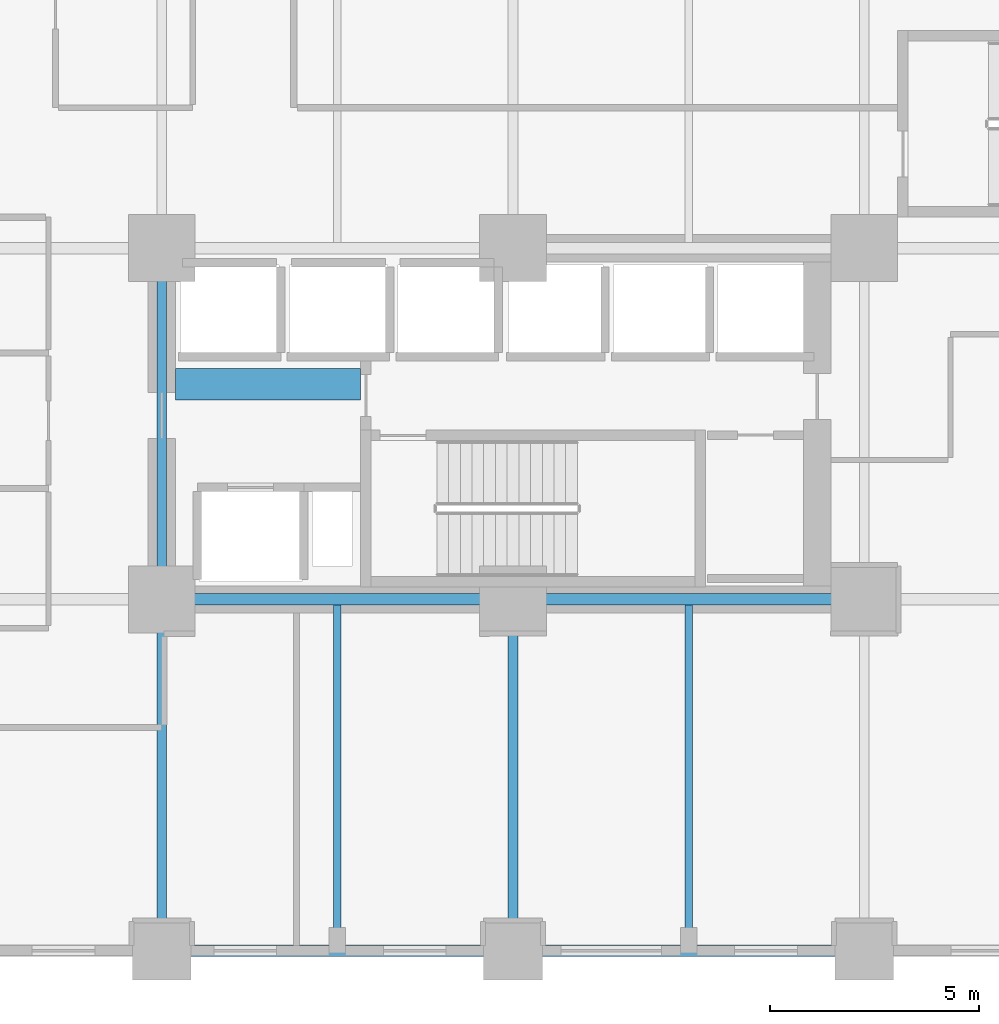
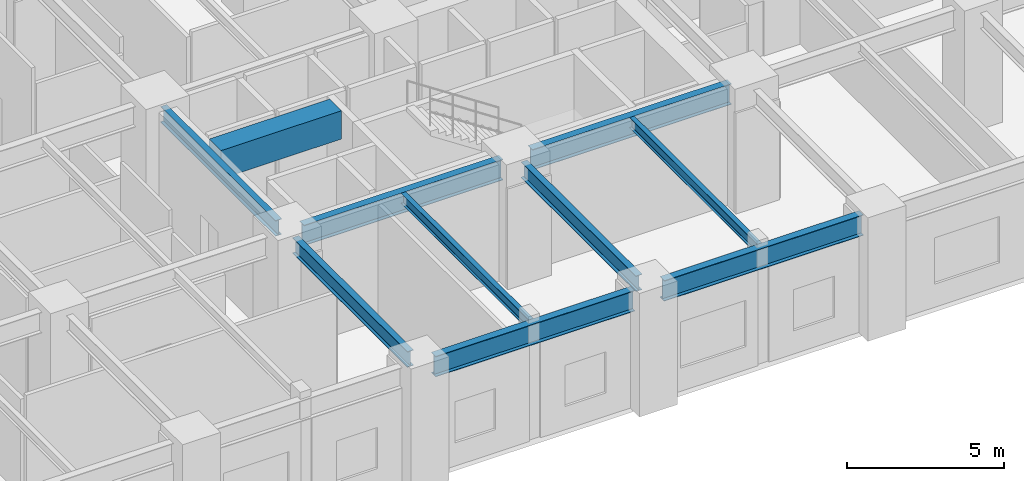
# One storey, part 3 of 23: 10 beams.
"""IFC4 building model written with IfcOpenShell, lengths in metres."""

from ifc_helpers import new_model, si_unit, direction, frame, origin, origin_2d, place, context, subcontext, project, spatial, rectangle, i_section, extrude, material, material_profile, profile_set, type_object, element, save


model = new_model("IFC4")

# Units and contexts
model_context = context("Model", 3, precision=1e-05, world=origin(), true_north=direction((0.0, 1.0)))
body_context = subcontext(model_context, "Body", "Model", "MODEL_VIEW")
ifc_project = project(units=[si_unit("LENGTHUNIT", "METRE"), si_unit("AREAUNIT", "SQUARE_METRE"), si_unit("VOLUMEUNIT", "CUBIC_METRE"), si_unit("PLANEANGLEUNIT", "RADIAN"), si_unit("MASSUNIT", "GRAM", prefix="KILO")], contexts=[model_context])

# Site, building, storey
site_placement = place(None, origin())
site = spatial("IfcSite", under=ifc_project, at=site_placement, CompositionType="ELEMENT")
building_placement = place(site_placement, origin())
building = spatial("IfcBuilding", under=site, at=building_placement, Name="Nerrivon Quay Data Exchange", CompositionType="ELEMENT")
storey_placement = place(building_placement, frame((0.0, 0.0, 5.39990234375)))
storey = spatial("IfcBuildingStorey", under=building, at=storey_placement, Name="L01", CompositionType="ELEMENT", Elevation=5.39990234375)

# Beams
ifc_material_1 = material(Name="Concrete S65 (65 MPa)", Category="concrete")
ifc_material_profile_1 = material_profile(ifc_material_1, rectangle(XDim=0.75, YDim=1.10009765625, at=origin_2d()), Name="RC-CB-750x1100")
ifc_profile_set_1 = profile_set([ifc_material_profile_1], Name="Concrete S65 (65 MPa)")
beam_type_1 = type_object("IfcBeamType", Name="BM-CB1-750x1100", PredefinedType="LINTEL", material=ifc_profile_set_1)
beam_1_placement = place(storey_placement, frame((17.125, 13.550048828125, 3.97509765625), z_axis=(1.0, 0.0, 0.0), x_axis=(0.0, 1.0, 0.0)))
element("IfcBeam", 1, at=beam_1_placement, inside=storey, type_object=beam_type_1, Name="L01 East Core Coupling Beam", PredefinedType="LINTEL", context=body_context, shape_type="SweptSolid", body=[
    extrude(rectangle(XDim=0.75, YDim=1.10009765625, at=origin_2d()), origin(), (0.0, 0.0, 1.0), 4.429931640625),
])
ifc_material_2 = material(Name="Steel Grade 350", Category="steel")
ifc_material_profile_2 = material_profile(ifc_material_2, i_section(OverallWidth=0.22900390625, OverallDepth=0.612060546875, WebThickness=0.011962890625, FlangeThickness=0.01953125, FilletRadius=0.013916015625, at=origin_2d()), Name="610UB125")
ifc_profile_set_2 = profile_set([ifc_material_profile_2], Name="Steel Grade 350")
beam_type_2 = type_object("IfcBeamType", Name="BM-G1-610UB125", PredefinedType="BEAM", material=ifc_profile_set_2)
for number, where, z_axis, x_axis, name in (
    (2, (16.800048828125, 0.5400390625, 4.218994140625), (0.0, 1.0, 0.0), (-1.0, 0.0, 0.0), "L01 NS Girder X=16.8 (0.0..8.4)"),
    (3, (16.800048828125, 8.93994140625, 4.218994140625), (0.0, 1.0, 0.0), (-1.0, 0.0, 0.0), "L01 NS Girder X=16.8 (8.4..16.8)"),
    (4, (25.199951171875, 0.5400390625, 4.218994140625), (0.0, 1.0, 0.0), (-1.0, 0.0, 0.0), "L01 NS Girder X=25.2 (0.0..8.4)"),
):
    element("IfcBeam", number, at=place(storey_placement, frame(where, z_axis=z_axis, x_axis=x_axis)), inside=storey, type_object=beam_type_2, Name=name, PredefinedType="BEAM", context=body_context, shape_type="SweptSolid", body=[
        extrude(i_section(OverallWidth=0.22900390625, OverallDepth=0.612060546875, WebThickness=0.011962890625, FlangeThickness=0.01953125, FilletRadius=0.013916015625, at=origin_2d()), origin(), (0.0, 0.0, 1.0), 7.320068359375),
    ])
ifc_material_profile_3 = material_profile(ifc_material_2, i_section(OverallWidth=0.27490234375, OverallDepth=0.800048828125, WebThickness=0.010009765625, FlangeThickness=0.02001953125, at=origin_2d()), Name="800WB146")
ifc_profile_set_3 = profile_set([ifc_material_profile_3], Name="Steel Grade 350")
beam_type_3 = type_object("IfcBeamType", Name="BM-G8-800WB146", PredefinedType="BEAM", material=ifc_profile_set_3)
beam_2_placement = place(storey_placement, frame((17.340087890625, 0.0, 4.125), z_axis=(1.0, 0.0, 0.0), x_axis=(0.0, 1.0, 0.0)))
element("IfcBeam", 5, at=beam_2_placement, inside=storey, type_object=beam_type_3, Name="L01 EW Girder Y=0.0 (16.8..25.2)", PredefinedType="BEAM", context=body_context, shape_type="SweptSolid", body=[
    extrude(i_section(OverallWidth=0.27490234375, OverallDepth=0.800048828125, WebThickness=0.010009765625, FlangeThickness=0.02001953125, at=origin_2d()), origin(), (0.0, 0.0, 1.0), 7.31982421875),
])
beam_3_placement = place(storey_placement, frame((25.739990234375, 0.0, 4.125), z_axis=(1.0, 0.0, 0.0), x_axis=(0.0, 1.0, 0.0)))
element("IfcBeam", 6, at=beam_3_placement, inside=storey, type_object=beam_type_3, Name="L01 EW Girder Y=0.0 (25.2..33.6)", PredefinedType="BEAM", context=body_context, shape_type="SweptSolid", body=[
    extrude(i_section(OverallWidth=0.27490234375, OverallDepth=0.800048828125, WebThickness=0.010009765625, FlangeThickness=0.02001953125, at=origin_2d()), origin(), (0.0, 0.0, 1.0), 7.320068359375),
])
beam_4_placement = place(storey_placement, frame((17.340087890625, 8.39990234375, 4.125), z_axis=(1.0, 0.0, 0.0), x_axis=(0.0, 1.0, 0.0)))
element("IfcBeam", 7, at=beam_4_placement, inside=storey, type_object=beam_type_3, Name="L01 EW Girder Y=8.4 (16.8..25.2)", PredefinedType="BEAM", context=body_context, shape_type="SweptSolid", body=[
    extrude(i_section(OverallWidth=0.27490234375, OverallDepth=0.800048828125, WebThickness=0.010009765625, FlangeThickness=0.02001953125, at=origin_2d()), origin(), (0.0, 0.0, 1.0), 7.31982421875),
])
beam_5_placement = place(storey_placement, frame((25.739990234375, 8.39990234375, 4.125), z_axis=(1.0, 0.0, 0.0), x_axis=(0.0, 1.0, 0.0)))
element("IfcBeam", 8, at=beam_5_placement, inside=storey, type_object=beam_type_3, Name="L01 EW Girder Y=8.4 (25.2..33.6)", PredefinedType="BEAM", context=body_context, shape_type="SweptSolid", body=[
    extrude(i_section(OverallWidth=0.27490234375, OverallDepth=0.800048828125, WebThickness=0.010009765625, FlangeThickness=0.02001953125, at=origin_2d()), origin(), (0.0, 0.0, 1.0), 7.320068359375),
])
ifc_material_profile_4 = material_profile(ifc_material_2, i_section(OverallWidth=0.177978515625, OverallDepth=0.403076171875, WebThickness=0.007568359375, FlangeThickness=0.010986328125, FilletRadius=0.011474609375, at=origin_2d()), Name="410UB53.7")
ifc_profile_set_4 = profile_set([ifc_material_profile_4], Name="Steel Grade 350")
beam_type_4 = type_object("IfcBeamType", Name="BM-J2-410UB54", PredefinedType="JOIST", material=ifc_profile_set_4)
for number, where, z_axis, x_axis, name in (
    (9, (21.0, 0.137451171875, 4.323486328125), (0.0, 1.0, 0.0), (-1.0, 0.0, 0.0), "L01 Secondary Joist X=21.0 (0.0..8.4)"),
    (10, (29.39990234375, 0.137451171875, 4.323486328125), (0.0, 1.0, 0.0), (-1.0, 0.0, 0.0), "L01 Secondary Joist X=29.4 (0.0..8.4)"),
):
    element("IfcBeam", number, at=place(storey_placement, frame(where, z_axis=z_axis, x_axis=x_axis)), inside=storey, type_object=beam_type_4, Name=name, PredefinedType="JOIST", context=body_context, shape_type="SweptSolid", body=[
        extrude(i_section(OverallWidth=0.177978515625, OverallDepth=0.403076171875, WebThickness=0.007568359375, FlangeThickness=0.010986328125, FilletRadius=0.011474609375, at=origin_2d()), origin(), (0.0, 0.0, 1.0), 8.125),
    ])

save(model, "model.ifc")
